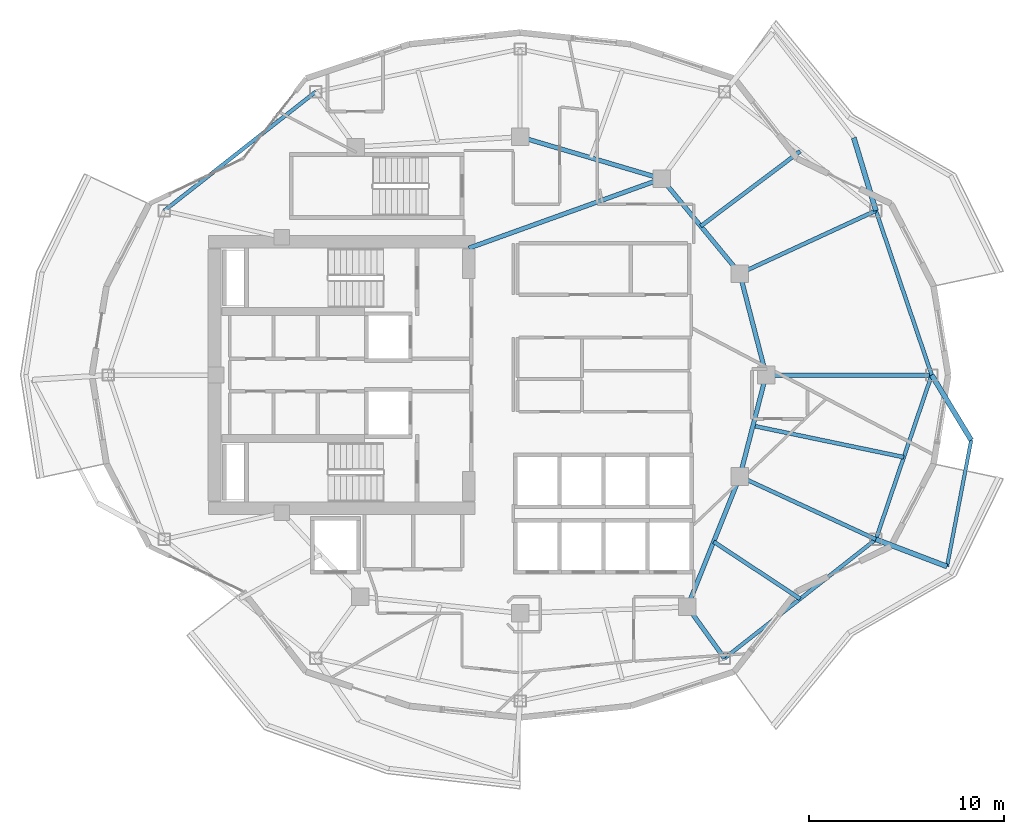
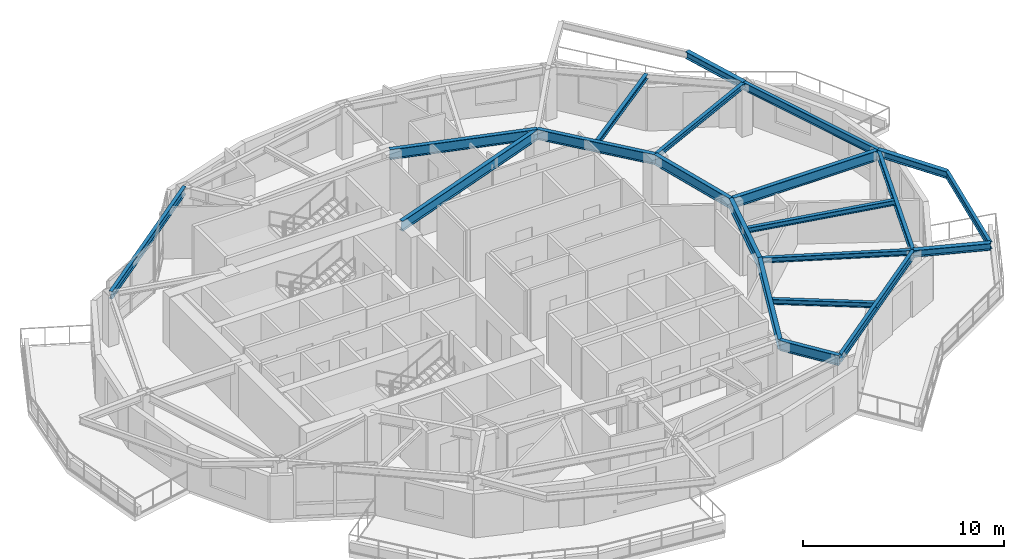
# One storey, part 4 of 13: 21 beams.
"""IFC4 building model written with IfcOpenShell, lengths in metres."""

import ifcopenshell
import ifcopenshell.guid

model = None  # the IFC model being written
_history = None  # IfcOwnerHistory: only IFC2X3 demands one
_inside = {}  # id of a spatial element -> (the spatial element, [elements in it])
_under = {}  # id of a project, library or spatial element -> (it, [spatial elements below it])
_declared = {}  # id of a project -> (the project, [libraries it declares])
_typed = {}  # id of a type object -> (the type object, [elements of that type])
_made_of = {}  # id of a material, layer set ... -> (it, [elements and type objects made of it])


def new_model(schema):
    """Start an empty IFC model of exactly this schema.

    Asked for "IFC4X3", IfcOpenShell would pick the latest addendum, in which some entities
    have other attributes; the version numbers below select the first issue.
    IFC2X3 requires an IfcOwnerHistory on every rooted entity: one is made here for all.
    """
    global model, _history
    if schema == "IFC4X3":
        model = ifcopenshell.file(schema_version=(4, 3, 0, 0))
    else:
        model = ifcopenshell.file(schema=schema)
    _inside.clear()
    _under.clear()
    _declared.clear()
    _typed.clear()
    _made_of.clear()
    _history = None
    if model.schema == "IFC2X3":
        org = make("IfcOrganization", Name="unknown")
        user = make(
            "IfcPersonAndOrganization",
            ThePerson=make("IfcPerson", FamilyName="unknown"),
            TheOrganization=org,
        )
        app = make(
            "IfcApplication",
            ApplicationDeveloper=org,
            Version="unknown",
            ApplicationFullName="unknown",
            ApplicationIdentifier="unknown",
        )
        _history = make(
            "IfcOwnerHistory",
            OwningUser=user,
            OwningApplication=app,
            ChangeAction="ADDED",
            CreationDate=0,
        )
    return model


def make(cls, **values):
    """One entity of the class cls with the attributes given. An attribute that is None is left unset."""
    return model.create_entity(
        cls, **{name: value for name, value in values.items() if value is not None}
    )


def rooted(cls, **values):
    """An entity with a GlobalId (a new one), such as an element, a storey or a relation."""
    return make(cls, GlobalId=ifcopenshell.guid.new(), OwnerHistory=_history, **values)


def si_unit(unit_type, name, prefix=None):
    """IfcSIUnit, for example si_unit("LENGTHUNIT", "METRE", prefix="MILLI")."""
    return make("IfcSIUnit", UnitType=unit_type, Prefix=prefix, Name=name)


def assignment(units):
    """IfcUnitAssignment: the units of a project."""
    return None if units is None else make("IfcUnitAssignment", Units=units)


def point(xyz):
    """IfcCartesianPoint."""
    return None if xyz is None else make("IfcCartesianPoint", Coordinates=xyz)


def direction(xyz):
    """IfcDirection."""
    return None if xyz is None else make("IfcDirection", DirectionRatios=xyz)


def frame(location, z_axis=None, x_axis=None):
    """IfcAxis2Placement3D, a coordinate frame: its origin and axes. An axis left out is left unset."""
    return make(
        "IfcAxis2Placement3D",
        Location=point(location),
        Axis=direction(z_axis),
        RefDirection=direction(x_axis),
    )


def frame_2d(location, x_axis=None):
    """IfcAxis2Placement2D, a coordinate frame in the plane: its origin and x axis."""
    return make(
        "IfcAxis2Placement2D", Location=point(location), RefDirection=direction(x_axis)
    )


def origin():
    """The frame at (0, 0, 0) with its axes left unset."""
    return frame((0.0, 0.0, 0.0))


def origin_2d():
    """The frame at (0, 0) in the plane with its x axis left unset."""
    return frame_2d((0.0, 0.0))


def place(relative_to, where):
    """IfcLocalPlacement: puts the frame where relative to a parent placement (None: the world)."""
    return make(
        "IfcLocalPlacement", PlacementRelTo=relative_to, RelativePlacement=where
    )


def context(
    kind, dimensions, precision=None, world=None, true_north=None, identifier=None
):
    """IfcGeometricRepresentationContext, for example the 3D "Model" context."""
    return make(
        "IfcGeometricRepresentationContext",
        ContextIdentifier=identifier,
        ContextType=kind,
        CoordinateSpaceDimension=dimensions,
        Precision=precision,
        WorldCoordinateSystem=world,
        TrueNorth=true_north,
    )


def subcontext(parent, identifier, kind, view, scale=None):
    """IfcGeometricRepresentationSubContext, for example "Body" below "Model"."""
    return make(
        "IfcGeometricRepresentationSubContext",
        ContextIdentifier=identifier,
        ContextType=kind,
        ParentContext=parent,
        TargetScale=scale,
        TargetView=view,
    )


def project(units=None, contexts=None):
    """IfcProject with its units and contexts."""
    return rooted(
        "IfcProject",
        Name="project",
        RepresentationContexts=contexts,
        UnitsInContext=assignment(units),
    )


def spatial(cls, under=None, at=None, **own):
    """A site, building, storey or space (cls), placed at a placement, below another one or the project."""
    s = rooted(cls, ObjectPlacement=at, **own)
    if under is not None:
        _under.setdefault(under.id(), (under, []))[1].append(s)
    return s


def profile(cls, at=None, kind="AREA", **sizes):
    """A parametric profile (cls). Its sizes go by their IFC names, for example OverallWidth=200.0."""
    return make(cls, ProfileType=kind, Position=at, **sizes)


def i_section(**sizes):
    """IfcIShapeProfileDef."""
    return profile("IfcIShapeProfileDef", **sizes)


def extrude(swept, where, along, depth):
    """IfcExtrudedAreaSolid: the profile swept, set in the frame where, extruded along a direction by depth."""
    return make(
        "IfcExtrudedAreaSolid",
        SweptArea=swept,
        Position=where,
        ExtrudedDirection=direction(along),
        Depth=depth,
    )


def shape(context_of_items, identifier, shape_type, items):
    """IfcShapeRepresentation: the items that make up one representation, for example the "Body"."""
    return make(
        "IfcShapeRepresentation",
        ContextOfItems=context_of_items,
        RepresentationIdentifier=identifier,
        RepresentationType=shape_type,
        Items=items,
    )


def material(Name=None, Category=None):
    """IfcMaterial."""
    return make("IfcMaterial", Name=Name, Category=Category)


def material_profile(
    of_material, cross_section, Name=None, Category=None, Priority=None
):
    """IfcMaterialProfile: a cross section and its material."""
    return make(
        "IfcMaterialProfile",
        Name=Name,
        Material=of_material,
        Profile=cross_section,
        Priority=Priority,
        Category=Category,
    )


def profile_set(profiles, Name=None, composite=None):
    """IfcMaterialProfileSet."""
    return make(
        "IfcMaterialProfileSet",
        Name=Name,
        MaterialProfiles=profiles,
        CompositeProfile=composite,
    )


def made_of(thing, what):
    """Note that an element or type object is made of a material, layer set ...; save() writes the relation."""
    if what is not None:
        _made_of.setdefault(what.id(), (what, []))[1].append(thing)
    return thing


def type_object(cls, material=None, **own):
    """A type object (cls), such as IfcWallType, which elements share."""
    return made_of(rooted(cls, **own), material)


def element(
    cls,
    number,
    at=None,
    inside=None,
    cuts=None,
    type_object=None,
    material=None,
    context=None,
    identifier="Body",
    shape_type=None,
    held_by="IfcProductDefinitionShape",
    body=None,
    shapes=None,
    **own,
):
    """One element of the class cls, such as IfcWall. Its Tag is "e" and its number.

    at: its placement. inside: the storey or other place that contains it. cuts: it is an
    opening in that element (IfcRelVoidsElement). A single representation is given by context,
    identifier, shape_type and body (its items); several are given by shapes. held_by: the class
    of the entity that holds the representations. save() writes the other relations.
    """
    e = rooted(cls, Tag="e%d" % number, ObjectPlacement=at, **own)
    if body is not None:
        shapes = [shape(context, identifier, shape_type, body)]
    if shapes is not None:
        e.Representation = make(held_by, Representations=shapes)
    if inside is not None:
        _inside.setdefault(inside.id(), (inside, []))[1].append(e)
    if cuts is not None:
        rooted(
            "IfcRelVoidsElement", RelatingBuildingElement=cuts, RelatedOpeningElement=e
        )
    if type_object is not None:
        _typed.setdefault(type_object.id(), (type_object, []))[1].append(e)
    return made_of(e, material)


def aggregate(whole, parts):
    """IfcRelAggregates: a whole, such as a stair, and the parts it consists of."""
    return rooted("IfcRelAggregates", RelatingObject=whole, RelatedObjects=parts)


def save(model, path):
    """Write the relations noted so far, then the file.

    IfcRelAggregates (storeys below a building ...), IfcRelContainedInSpatialStructure (elements
    in a storey), IfcRelDefinesByType, IfcRelAssociatesMaterial and IfcRelDeclares: one each for
    every whole, place, type object, material and project.
    """
    for whole, parts in _under.values():
        aggregate(whole, parts)
    for where, things in _inside.values():
        rooted(
            "IfcRelContainedInSpatialStructure",
            RelatedElements=things,
            RelatingStructure=where,
        )
    for kind, things in _typed.values():
        rooted("IfcRelDefinesByType", RelatedObjects=things, RelatingType=kind)
    for what, things in _made_of.values():
        rooted("IfcRelAssociatesMaterial", RelatedObjects=things, RelatingMaterial=what)
    for by, libraries in _declared.values():
        rooted("IfcRelDeclares", RelatingContext=by, RelatedDefinitions=libraries)
    model.write(path)


model = new_model("IFC4")

# Units and contexts
model_context = context("Model", 3, precision=1e-05, world=origin(), true_north=direction((0.0, 1.0)))
body_context = subcontext(model_context, "Body", "Model", "MODEL_VIEW")
ifc_project = project(units=[si_unit("LENGTHUNIT", "METRE"), si_unit("AREAUNIT", "SQUARE_METRE"), si_unit("VOLUMEUNIT", "CUBIC_METRE"), si_unit("PLANEANGLEUNIT", "RADIAN"), si_unit("MASSUNIT", "GRAM", prefix="KILO")], contexts=[model_context])

# Site, building, storey
site_placement = place(None, origin())
site = spatial("IfcSite", under=ifc_project, at=site_placement, CompositionType="ELEMENT")
building_placement = place(site_placement, origin())
building = spatial("IfcBuilding", under=site, at=building_placement, Name="Kolvaren Gate Tower and Convention Centre", CompositionType="ELEMENT")
storey_placement = place(building_placement, frame((0.0, 0.0, 156.300048828125)))
storey = spatial("IfcBuildingStorey", under=building, at=storey_placement, Name="L40", CompositionType="ELEMENT", Elevation=156.300048828125)

# Beams
ifc_material = material(Name="Structural steel ASTM A992 Grade 345 MPa", Category="steel")
ifc_material_profile_1 = material_profile(ifc_material, i_section(OverallWidth=0.260009765625, OverallDepth=0.419921875, WebThickness=0.013427734375, FlangeThickness=0.0224609375, at=origin_2d()), Name="W410X132")
ifc_profile_set_1 = profile_set([ifc_material_profile_1], Name="Structural steel ASTM A992 Grade 345 MPa")
beam_type_1 = type_object("IfcBeamType", Name="STR-BM-W410X132", PredefinedType="BEAM", material=ifc_profile_set_1)
for number, where, z_axis, x_axis, name in (
    (1, (48.351806640625, 35.418701171875, 2.92041015625), (-0.290155075149, 0.956979640518, 0.0), (-0.956979640518, -0.290155075149, 0.0), "Tower L41 Planted Balcony Outrigger Cantilever BC-1A"),
    (2, (48.351806640625, 18.581298828125, 2.92041015625), (0.934406389152, -0.356208786967, 0.0), (0.356208786967, 0.934406389152, 0.0), "Tower L41 Planted Balcony Outrigger Cantilever BC-4A"),
    (3, (51.21240234375, 27.0, 2.92041015625), (0.51832946338, -0.855181014401, 0.0), (0.855181014401, 0.51832946338, 0.0), "Tower L41 Planted Balcony Outrigger Cantilever BC-4B"),
):
    element("IfcBeam", number, at=place(storey_placement, frame(where, z_axis=z_axis, x_axis=x_axis)), inside=storey, type_object=beam_type_1, Name=name, PredefinedType="BEAM", context=body_context, shape_type="SweptSolid", body=[
        extrude(i_section(OverallWidth=0.260009765625, OverallDepth=0.419921875, WebThickness=0.013427734375, FlangeThickness=0.0224609375, at=origin_2d()), origin(), (0.0, 0.0, 1.0), 3.89990234375),
    ])
ifc_material_profile_2 = material_profile(ifc_material, i_section(OverallWidth=0.22998046875, OverallDepth=0.616943359375, WebThickness=0.01318359375, FlangeThickness=0.022216796875, at=origin_2d()), Name="W610X140")
ifc_profile_set_2 = profile_set([ifc_material_profile_2], Name="Structural steel ASTM A992 Grade 345 MPa")
beam_type_2 = type_object("IfcBeamType", Name="STR-BM-W610X140", PredefinedType="BEAM", material=ifc_profile_set_2)
beam_1_placement = place(storey_placement, frame((42.72509765625, 27.0, 2.821533203125), z_axis=(-0.250091133936, -0.968222301296, 0.0), x_axis=(0.968222301296, -0.250091133936, 0.0)))
element("IfcBeam", 4, at=beam_1_placement, inside=storey, type_object=beam_type_2, Name="Tower L40 Primary Ring Girder G-01", PredefinedType="BEAM", context=body_context, shape_type="SweptSolid", body=[
    extrude(i_section(OverallWidth=0.22998046875, OverallDepth=0.616943359375, WebThickness=0.01318359375, FlangeThickness=0.022216796875, at=origin_2d()), origin(), (0.0, 0.0, 1.0), 5.3701171875),
])
beam_2_placement = place(storey_placement, frame((41.382080078125, 32.199462890625, 2.821533203125), z_axis=(-0.635884066011, 0.771784590798, 0.0), x_axis=(-0.771784590798, -0.635884066011, 0.0)))
element("IfcBeam", 5, at=beam_2_placement, inside=storey, type_object=beam_type_2, Name="Tower L40 Primary Ring Girder G-02", PredefinedType="BEAM", context=body_context, shape_type="SweptSolid", body=[
    extrude(i_section(OverallWidth=0.22998046875, OverallDepth=0.616943359375, WebThickness=0.01318359375, FlangeThickness=0.022216796875, at=origin_2d()), origin(), (0.0, 0.0, 1.0), 6.291259765625),
])
beam_3_placement = place(storey_placement, frame((37.381591796875, 37.054931640625, 2.821533203125), z_axis=(-0.958980837827, 0.283470902706, 0.0), x_axis=(-0.283470902706, -0.958980837827, 0.0)))
element("IfcBeam", 6, at=beam_3_placement, inside=storey, type_object=beam_type_2, Name="Tower L40 Primary Ring Girder G-03", PredefinedType="BEAM", context=body_context, shape_type="SweptSolid", body=[
    extrude(i_section(OverallWidth=0.22998046875, OverallDepth=0.616943359375, WebThickness=0.01318359375, FlangeThickness=0.022216796875, at=origin_2d()), origin(), (0.0, 0.0, 1.0), 7.56689453125),
])
beam_4_placement = place(storey_placement, frame((38.6982421875, 15.12060546875, 2.821533203125), z_axis=(0.372811100169, 0.927907260232, 0.0), x_axis=(-0.927907260232, 0.372811100169, 0.0)))
element("IfcBeam", 7, at=beam_4_placement, inside=storey, type_object=beam_type_2, Name="Tower L40 Primary Ring Girder G-09", PredefinedType="BEAM", context=body_context, shape_type="SweptSolid", body=[
    extrude(i_section(OverallWidth=0.22998046875, OverallDepth=0.616943359375, WebThickness=0.01318359375, FlangeThickness=0.022216796875, at=origin_2d()), origin(), (0.0, 0.0, 1.0), 7.198974609375),
])
beam_5_placement = place(storey_placement, frame((27.5, 33.5, 2.821533203125), z_axis=(0.940961479908, 0.338513653093, 0.0), x_axis=(-0.338513653093, 0.940961479908, 0.0)))
element("IfcBeam", 8, at=beam_5_placement, inside=storey, type_object=beam_type_2, Name="Tower L40 Primary Ring Girder G-10", PredefinedType="BEAM", context=body_context, shape_type="SweptSolid", body=[
    extrude(i_section(OverallWidth=0.22998046875, OverallDepth=0.616943359375, WebThickness=0.01318359375, FlangeThickness=0.022216796875, at=origin_2d()), origin(), (0.0, 0.0, 1.0), 10.501708984375),
])
beam_6_placement = place(storey_placement, frame((42.72509765625, 27.0, 2.821533203125), z_axis=(-0.250091133936, 0.968222301296, 0.0), x_axis=(-0.968222301296, -0.250091133936, 0.0)))
element("IfcBeam", 9, at=beam_6_placement, inside=storey, type_object=beam_type_2, Name="Tower L40 Primary Ring Girder G-12", PredefinedType="BEAM", context=body_context, shape_type="SweptSolid", body=[
    extrude(i_section(OverallWidth=0.22998046875, OverallDepth=0.616943359375, WebThickness=0.01318359375, FlangeThickness=0.022216796875, at=origin_2d()), origin(), (0.0, 0.0, 1.0), 5.3701171875),
])
beam_7_placement = place(storey_placement, frame((42.72509765625, 27.0, 2.821533203125), z_axis=(1.0, 0.0, 0.0), x_axis=(0.0, 1.0, 0.0)))
element("IfcBeam", 10, at=beam_7_placement, inside=storey, type_object=beam_type_2, Name="Tower L40 Radial Floor Girder RB-01", PredefinedType="BEAM", context=body_context, shape_type="SweptSolid", body=[
    extrude(i_section(OverallWidth=0.22998046875, OverallDepth=0.616943359375, WebThickness=0.01318359375, FlangeThickness=0.022216796875, at=origin_2d()), origin(), (0.0, 0.0, 1.0), 8.4873046875),
])
beam_8_placement = place(storey_placement, frame((38.6982421875, 15.12060546875, 2.821533203125), z_axis=(0.58521845229, -0.810875676722, 0.0), x_axis=(0.810875676722, 0.58521845229, 0.0)))
element("IfcBeam", 11, at=beam_8_placement, inside=storey, type_object=beam_type_2, Name="Tower L40 Radial Floor Girder RB-11", PredefinedType="BEAM", context=body_context, shape_type="SweptSolid", body=[
    extrude(i_section(OverallWidth=0.22998046875, OverallDepth=0.616943359375, WebThickness=0.01318359375, FlangeThickness=0.022216796875, at=origin_2d()), origin(), (0.0, 0.0, 1.0), 3.24365234375),
])
ifc_material_profile_3 = material_profile(ifc_material, i_section(OverallWidth=0.205078125, OverallDepth=0.31005859375, WebThickness=0.009521484375, FlangeThickness=0.016357421875, at=origin_2d()), Name="W310X74")
ifc_profile_set_3 = profile_set([ifc_material_profile_3], Name="Structural steel ASTM A992 Grade 345 MPa")
beam_type_3 = type_object("IfcBeamType", Name="STR-JS-W310X74", PredefinedType="JOIST", material=ifc_profile_set_3)
for number, where, z_axis, x_axis, name in (
    (12, (41.382080078125, 32.199462890625, 2.974853515625), (0.907838349939, 0.419320319542, 0.0), (-0.419320319542, 0.907838349939, 0.0), "Tower L40 Radial Floor Girder RB-02"),
    (13, (41.382080078125, 21.800537109375, 2.974853515625), (0.907838349939, -0.419320319542, 0.0), (0.419320319542, 0.907838349939, 0.0), "Tower L40 Radial Floor Girder RB-12"),
):
    element("IfcBeam", number, at=place(storey_placement, frame(where, z_axis=z_axis, x_axis=x_axis)), inside=storey, type_object=beam_type_3, Name=name, PredefinedType="JOIST", context=body_context, shape_type="SweptSolid", body=[
        extrude(i_section(OverallWidth=0.205078125, OverallDepth=0.31005859375, WebThickness=0.009521484375, FlangeThickness=0.016357421875, at=origin_2d()), origin(), (0.0, 0.0, 1.0), 7.67724609375),
    ])
beam_9_placement = place(storey_placement, frame((39.3818359375, 34.627197265625, 2.974853515625), z_axis=(0.798665513939, 0.601775204577, 0.0), x_axis=(-0.601775204577, 0.798665513939, 0.0)))
element("IfcBeam", 14, at=beam_9_placement, inside=storey, type_object=beam_type_3, Name="Tower L40 Secondary Composite Floor Joist J-02.1", PredefinedType="JOIST", context=body_context, shape_type="SweptSolid", body=[
    extrude(i_section(OverallWidth=0.205078125, OverallDepth=0.31005859375, WebThickness=0.009521484375, FlangeThickness=0.016357421875, at=origin_2d()), origin(), (0.0, 0.0, 1.0), 6.3759765625),
])
beam_10_placement = place(storey_placement, frame((40.040283203125, 18.46044921875, 2.974853515625), z_axis=(0.834762790112, -0.550609738602, 0.0), x_axis=(0.550609738602, 0.834762790112, 0.0)))
element("IfcBeam", 15, at=beam_10_placement, inside=storey, type_object=beam_type_3, Name="Tower L40 Secondary Composite Floor Joist J-11.1", PredefinedType="JOIST", context=body_context, shape_type="SweptSolid", body=[
    extrude(i_section(OverallWidth=0.205078125, OverallDepth=0.31005859375, WebThickness=0.009521484375, FlangeThickness=0.016357421875, at=origin_2d()), origin(), (0.0, 0.0, 1.0), 5.3115234375),
])
beam_11_placement = place(storey_placement, frame((42.0537109375, 24.400146484375, 2.974853515625), z_axis=(0.978997655145, -0.203871506641, 0.0), x_axis=(0.203871506641, 0.978997655145, 0.0)))
element("IfcBeam", 16, at=beam_11_placement, inside=storey, type_object=beam_type_3, Name="Tower L40 Secondary Composite Floor Joist J-12.1", PredefinedType="JOIST", context=body_context, shape_type="SweptSolid", body=[
    extrude(i_section(OverallWidth=0.205078125, OverallDepth=0.31005859375, WebThickness=0.009521484375, FlangeThickness=0.016357421875, at=origin_2d()), origin(), (0.0, 0.0, 1.0), 7.89404296875),
])
ifc_material_profile_4 = material_profile(ifc_material, i_section(OverallWidth=0.180908203125, OverallDepth=0.4169921875, WebThickness=0.010986328125, FlangeThickness=0.018310546875, at=origin_2d()), Name="W410X85")
ifc_profile_set_4 = profile_set([ifc_material_profile_4], Name="Structural steel ASTM A992 Grade 345 MPa")
beam_type_4 = type_object("IfcBeamType", Name="STR-SP-W410X85", PredefinedType="SPANDREL", material=ifc_profile_set_4)
beam_12_placement = place(storey_placement, frame((51.995849609375, 17.192138671875, 2.921875), z_axis=(0.187866209954, 0.982194627942, 0.0), x_axis=(-0.982194627942, 0.187866209954, 0.0)))
element("IfcBeam", 17, at=beam_12_placement, inside=storey, type_object=beam_type_4, Name="Tower L41 Planted Balcony Header Tie Beam BT-4", PredefinedType="SPANDREL", context=body_context, shape_type="SweptSolid", body=[
    extrude(i_section(OverallWidth=0.180908203125, OverallDepth=0.4169921875, WebThickness=0.010986328125, FlangeThickness=0.018310546875, at=origin_2d()), origin(), (0.0, 0.0, 1.0), 6.590087890625),
])
ifc_material_profile_5 = material_profile(ifc_material, i_section(OverallWidth=0.194091796875, OverallDepth=0.468994140625, WebThickness=0.0126953125, FlangeThickness=0.0205078125, at=origin_2d()), Name="W460X106")
ifc_profile_set_5 = profile_set([ifc_material_profile_5], Name="Structural steel ASTM A992 Grade 345 MPa")
beam_type_5 = type_object("IfcBeamType", Name="STR-SP-W460X106", PredefinedType="SPANDREL", material=ifc_profile_set_5)
beam_13_placement = place(storey_placement, frame((51.21240234375, 27.0, 2.8955078125), z_axis=(-0.321725023609, 0.946833147489, 0.0), x_axis=(-0.946833147489, -0.321725023609, 0.0)))
element("IfcBeam", 18, at=beam_13_placement, inside=storey, type_object=beam_type_5, Name="Tower L40 Perimeter Spandrel Beam SP-01", PredefinedType="SPANDREL", context=body_context, shape_type="SweptSolid", body=[
    extrude(i_section(OverallWidth=0.194091796875, OverallDepth=0.468994140625, WebThickness=0.0126953125, FlangeThickness=0.0205078125, at=origin_2d()), origin(), (0.0, 0.0, 1.0), 8.891357421875),
])
for number, where, z_axis, x_axis, name in (
    (19, (19.65380859375, 41.509521484375, 2.8955078125), (-0.786460066421, -0.617641128752, 0.0), (0.617641128752, -0.786460066421, 0.0), "Tower L40 Perimeter Spandrel Beam SP-05"),
    (20, (40.596435546875, 12.490478515625, 2.8955078125), (0.786450621777, 0.617653154697, 0.0), (-0.617653154697, 0.786450621777, 0.0), "Tower L40 Perimeter Spandrel Beam SP-11"),
):
    element("IfcBeam", number, at=place(storey_placement, frame(where, z_axis=z_axis, x_axis=x_axis)), inside=storey, type_object=beam_type_5, Name=name, PredefinedType="SPANDREL", context=body_context, shape_type="SweptSolid", body=[
        extrude(i_section(OverallWidth=0.194091796875, OverallDepth=0.468994140625, WebThickness=0.0126953125, FlangeThickness=0.0205078125, at=origin_2d()), origin(), (0.0, 0.0, 1.0), 9.861328125),
    ])
beam_14_placement = place(storey_placement, frame((48.351806640625, 18.581298828125, 2.8955078125), z_axis=(0.321725023609, 0.946833147489, 0.0), x_axis=(-0.946833147489, 0.321725023609, 0.0)))
element("IfcBeam", 21, at=beam_14_placement, inside=storey, type_object=beam_type_5, Name="Tower L40 Perimeter Spandrel Beam SP-12", PredefinedType="SPANDREL", context=body_context, shape_type="SweptSolid", body=[
    extrude(i_section(OverallWidth=0.194091796875, OverallDepth=0.468994140625, WebThickness=0.0126953125, FlangeThickness=0.0205078125, at=origin_2d()), origin(), (0.0, 0.0, 1.0), 8.891357421875),
])

save(model, "model.ifc")
